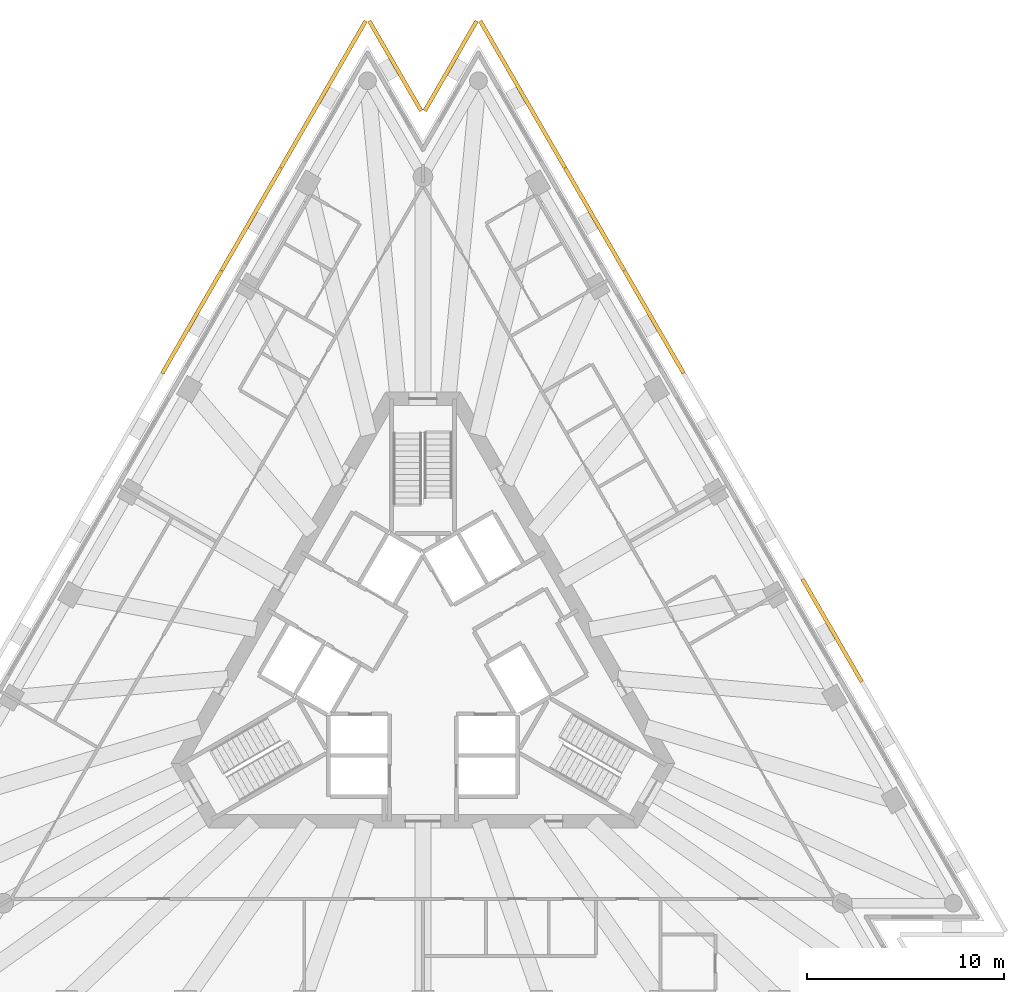
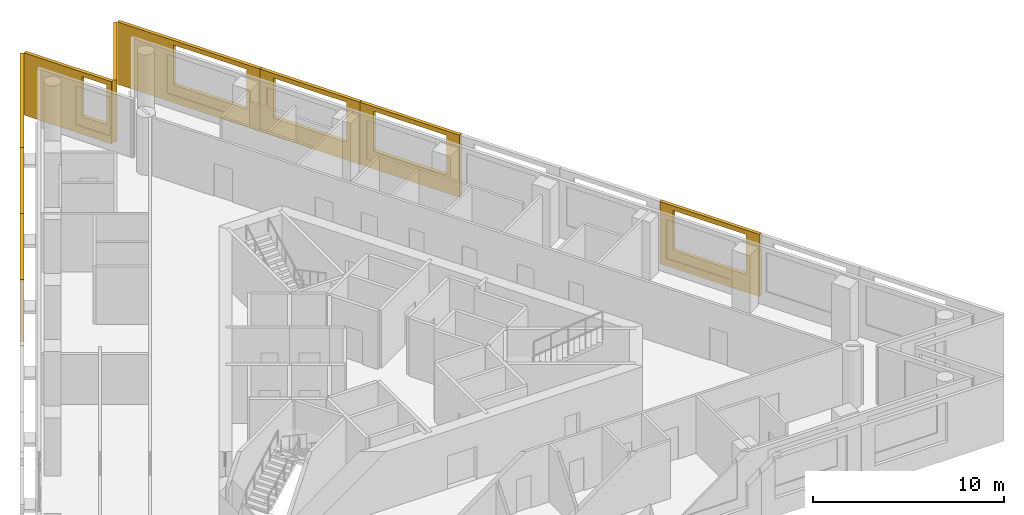
# One storey, part 9 of 9: 9 shading devices.
"""IFC4 building model written with IfcOpenShell, lengths in metres."""

from ifc_helpers import new_model, si_unit, direction, frame, origin, place, context, subcontext, project, spatial, polyline, outline, extrude, material, layer, layer_set, type_object, element, save


model = new_model("IFC4")

# Units and contexts
model_context = context("Model", 3, precision=1e-05, world=origin(), true_north=direction((0.0, 1.0)))
body_context = subcontext(model_context, "Body", "Model", "MODEL_VIEW")
ifc_project = project(units=[si_unit("LENGTHUNIT", "METRE"), si_unit("AREAUNIT", "SQUARE_METRE"), si_unit("VOLUMEUNIT", "CUBIC_METRE"), si_unit("PLANEANGLEUNIT", "RADIAN"), si_unit("MASSUNIT", "GRAM", prefix="KILO")], contexts=[model_context])

# Site, building, storey
site_placement = place(None, origin())
site = spatial("IfcSite", under=ifc_project, at=site_placement, CompositionType="ELEMENT")
building_placement = place(site_placement, origin())
building = spatial("IfcBuilding", under=site, at=building_placement, Name="Triada Interchange Tower", CompositionType="ELEMENT")
storey_placement = place(building_placement, frame((0.0, 0.0, 215.300048828125)))
storey = spatial("IfcBuildingStorey", under=building, at=storey_placement, Name="L50", CompositionType="ELEMENT", Elevation=215.300048828125)

# Shading devices
ifc_material = material(Name="Concrete C50/60 precast", Category="concrete")
ifc_layer_1 = layer(ifc_material, 0.02001953125, Name="Exposed aggregate face")
ifc_layer_2 = layer(ifc_material, 0.179931640625, Name="Precast concrete screen")
ifc_layer_set = layer_set([ifc_layer_1, ifc_layer_2], Name="Outer skin screen panel 3980")
shading_device_type = type_object("IfcShadingDeviceType", Name="Outer skin screen panel 3980", PredefinedType="SHUTTER", material=ifc_layer_set)
shading_device_1_placement = place(storey_placement, frame((-2.827880859375, 32.52099609375, -0.2900390625), z_axis=(0.0, 0.0, 1.0), x_axis=(-0.499971748216, -0.866041714345, 0.0)))
element("IfcShadingDevice", 1, at=shading_device_1_placement, inside=storey, type_object=shading_device_type, Name="Outer skin screen panel L50 01", PredefinedType="SHUTTER", context=body_context, shape_type="SweptSolid", body=[
    extrude(outline(polyline([(0.0, 0.0), (8.61865234375, 0.0), (8.61865234375, 3.97998046875), (0.0, 3.97998046875), (0.0, 0.0)]), holes=[polyline([(3.40869140625, 1.139892578125), (3.40869140625, 3.68994140625), (7.80859375, 3.68994140625), (7.80859375, 1.139892578125), (3.40869140625, 1.139892578125)])]), frame((0.0, 0.0, 0.0), z_axis=(0.0, -1.0, 0.0), x_axis=(1.0, 0.0, 0.0)), (0.0, 0.0, 1.0), 0.199951171875),
])
shading_device_2_placement = place(storey_placement, frame((-7.14697265625, 25.0400390625, -0.2900390625), z_axis=(0.0, 0.0, 1.0), x_axis=(-0.500076946771, -0.865980973987, 0.0)))
element("IfcShadingDevice", 2, at=shading_device_2_placement, inside=storey, type_object=shading_device_type, Name="Outer skin screen panel L50 02", PredefinedType="SHUTTER", context=body_context, shape_type="SweptSolid", body=[
    extrude(outline(polyline([(0.0, 0.0), (6.02099609375, 0.0), (6.02099609375, 3.97998046875), (0.0, 3.97998046875), (0.0, 0.0)]), holes=[polyline([(0.81005859375, 1.139892578125), (0.81005859375, 3.68994140625), (5.2099609375, 3.68994140625), (5.2099609375, 1.139892578125), (0.81005859375, 1.139892578125)])]), frame((0.0, 0.0, 0.0), z_axis=(0.0, -1.0, 0.0), x_axis=(1.0, 0.0, 0.0)), (0.0, 0.0, 1.0), 0.199951171875),
])
shading_device_3_placement = place(storey_placement, frame((-10.16796875, 19.80908203125, -0.2900390625), z_axis=(0.0, 0.0, 1.0), x_axis=(-0.499955300828, -0.866051209326, 0.0)))
element("IfcShadingDevice", 3, at=shading_device_3_placement, inside=storey, type_object=shading_device_type, Name="Outer skin screen panel L50 03", PredefinedType="SHUTTER", context=body_context, shape_type="SweptSolid", body=[
    extrude(outline(polyline([(0.0, 0.0), (6.0205078125, 0.0), (6.0205078125, 3.97998046875), (0.0, 3.97998046875), (0.0, 0.0)]), holes=[polyline([(0.810546875, 1.139892578125), (0.810546875, 3.68994140625), (5.21044921875, 3.68994140625), (5.21044921875, 1.139892578125), (0.810546875, 1.139892578125)])]), frame((0.0, 0.0, 0.0), z_axis=(0.0, -1.0, 0.0), x_axis=(1.0, 0.0, 0.0)), (0.0, 0.0, 1.0), 0.199951171875),
])
shading_device_4_placement = place(storey_placement, frame((22.239013671875, -1.09912109375, -0.2900390625), z_axis=(0.0, 0.0, 1.0), x_axis=(-0.500076946771, 0.865980973987, 0.0)))
element("IfcShadingDevice", 4, at=shading_device_4_placement, inside=storey, type_object=shading_device_type, Name="Outer skin screen panel L50 23", PredefinedType="SHUTTER", context=body_context, shape_type="SweptSolid", body=[
    extrude(outline(polyline([(0.0, 0.0), (6.02099609375, 0.0), (6.02099609375, 3.97998046875), (0.0, 3.97998046875), (0.0, 0.0)]), holes=[polyline([(0.810302734375, 1.139892578125), (0.810302734375, 3.68994140625), (5.210205078125, 3.68994140625), (5.210205078125, 1.139892578125), (0.810302734375, 1.139892578125)])]), frame((0.0, 0.0, 0.0), z_axis=(0.0, -1.0, 0.0), x_axis=(1.0, 0.0, 0.0)), (0.0, 0.0, 1.0), 0.199951171875),
])
shading_device_5_placement = place(storey_placement, frame((13.177978515625, 14.594970703125, -0.2900390625), z_axis=(0.0, 0.0, 1.0), x_axis=(-0.499955300828, 0.866051209326, 0.0)))
element("IfcShadingDevice", 5, at=shading_device_5_placement, inside=storey, type_object=shading_device_type, Name="Outer skin screen panel L50 26", PredefinedType="SHUTTER", context=body_context, shape_type="SweptSolid", body=[
    extrude(outline(polyline([(0.0, 0.0), (6.0205078125, 0.0), (6.0205078125, 3.97998046875), (0.0, 3.97998046875), (0.0, 0.0)]), holes=[polyline([(0.810546875, 1.139892578125), (0.810546875, 3.68994140625), (5.210693359375, 3.68994140625), (5.210693359375, 1.139892578125), (0.810546875, 1.139892578125)])]), frame((0.0, 0.0, 0.0), z_axis=(0.0, -1.0, 0.0), x_axis=(1.0, 0.0, 0.0)), (0.0, 0.0, 1.0), 0.199951171875),
])
shading_device_6_placement = place(storey_placement, frame((10.157958984375, 19.825927734375, -0.2900390625), z_axis=(0.0, 0.0, 1.0), x_axis=(-0.500076946771, 0.865980973987, 0.0)))
element("IfcShadingDevice", 6, at=shading_device_6_placement, inside=storey, type_object=shading_device_type, Name="Outer skin screen panel L50 27", PredefinedType="SHUTTER", context=body_context, shape_type="SweptSolid", body=[
    extrude(outline(polyline([(0.0, 0.0), (6.02099609375, 0.0), (6.02099609375, 3.97998046875), (0.0, 3.97998046875), (0.0, 0.0)]), holes=[polyline([(0.81005859375, 1.139892578125), (0.81005859375, 3.68994140625), (5.210205078125, 3.68994140625), (5.210205078125, 1.139892578125), (0.81005859375, 1.139892578125)])]), frame((0.0, 0.0, 0.0), z_axis=(0.0, -1.0, 0.0), x_axis=(1.0, 0.0, 0.0)), (0.0, 0.0, 1.0), 0.199951171875),
])
shading_device_7_placement = place(storey_placement, frame((7.136962890625, 25.056884765625, -0.2900390625), z_axis=(0.0, 0.0, 1.0), x_axis=(-0.499971748216, 0.866041714345, 0.0)))
element("IfcShadingDevice", 7, at=shading_device_7_placement, inside=storey, type_object=shading_device_type, Name="Outer skin screen panel L50 28", PredefinedType="SHUTTER", context=body_context, shape_type="SweptSolid", body=[
    extrude(outline(polyline([(0.0, 0.0), (8.61865234375, 0.0), (8.61865234375, 3.97998046875), (0.0, 3.97998046875), (0.0, 0.0)]), holes=[polyline([(0.810546875, 1.139892578125), (0.810546875, 3.68994140625), (5.210693359375, 3.68994140625), (5.210693359375, 1.139892578125), (0.810546875, 1.139892578125)])]), frame((0.0, 0.0, 0.0), z_axis=(0.0, -1.0, 0.0), x_axis=(1.0, 0.0, 0.0)), (0.0, 0.0, 1.0), 0.199951171875),
])
shading_device_8_placement = place(storey_placement, frame((2.818115234375, 32.52099609375, -0.2900390625), z_axis=(0.0, 0.0, 1.0), x_axis=(-0.500148140063, -0.865939858184, 0.0)))
element("IfcShadingDevice", 8, at=shading_device_8_placement, inside=storey, type_object=shading_device_type, Name="Outer skin screen panel L50 29", PredefinedType="SHUTTER", context=body_context, shape_type="SweptSolid", body=[
    extrude(outline(polyline([(0.0, 0.0), (5.27880859375, 0.0), (5.27880859375, 3.97998046875), (0.0, 3.97998046875), (0.0, 0.0)]), holes=[polyline([(3.175537109375, 1.139892578125), (3.175537109375, 3.68994140625), (4.97900390625, 3.68994140625), (4.97900390625, 1.139892578125), (3.175537109375, 1.139892578125)])]), frame((0.0, 0.0, 0.0), z_axis=(0.0, -1.0, 0.0), x_axis=(1.0, 0.0, 0.0)), (0.0, 0.0, 1.0), 0.199951171875),
])
shading_device_9_placement = place(storey_placement, frame((-0.177978515625, 27.949951171875, -0.2900390625), z_axis=(0.0, 0.0, 1.0), x_axis=(-0.500148140063, 0.865939858184, 0.0)))
element("IfcShadingDevice", 9, at=shading_device_9_placement, inside=storey, type_object=shading_device_type, Name="Outer skin screen panel L50 30", PredefinedType="SHUTTER", context=body_context, shape_type="SweptSolid", body=[
    extrude(outline(polyline([(0.0, 0.0), (5.27880859375, 0.0), (5.27880859375, 3.97998046875), (0.0, 3.97998046875), (0.0, 0.0)]), holes=[polyline([(0.300048828125, 1.139892578125), (0.300048828125, 3.68994140625), (1.758056640625, 3.68994140625), (1.758056640625, 1.139892578125), (0.300048828125, 1.139892578125)])]), frame((0.0, 0.0, 0.0), z_axis=(0.0, -1.0, 0.0), x_axis=(1.0, 0.0, 0.0)), (0.0, 0.0, 1.0), 0.199951171875),
])

save(model, "model.ifc")
